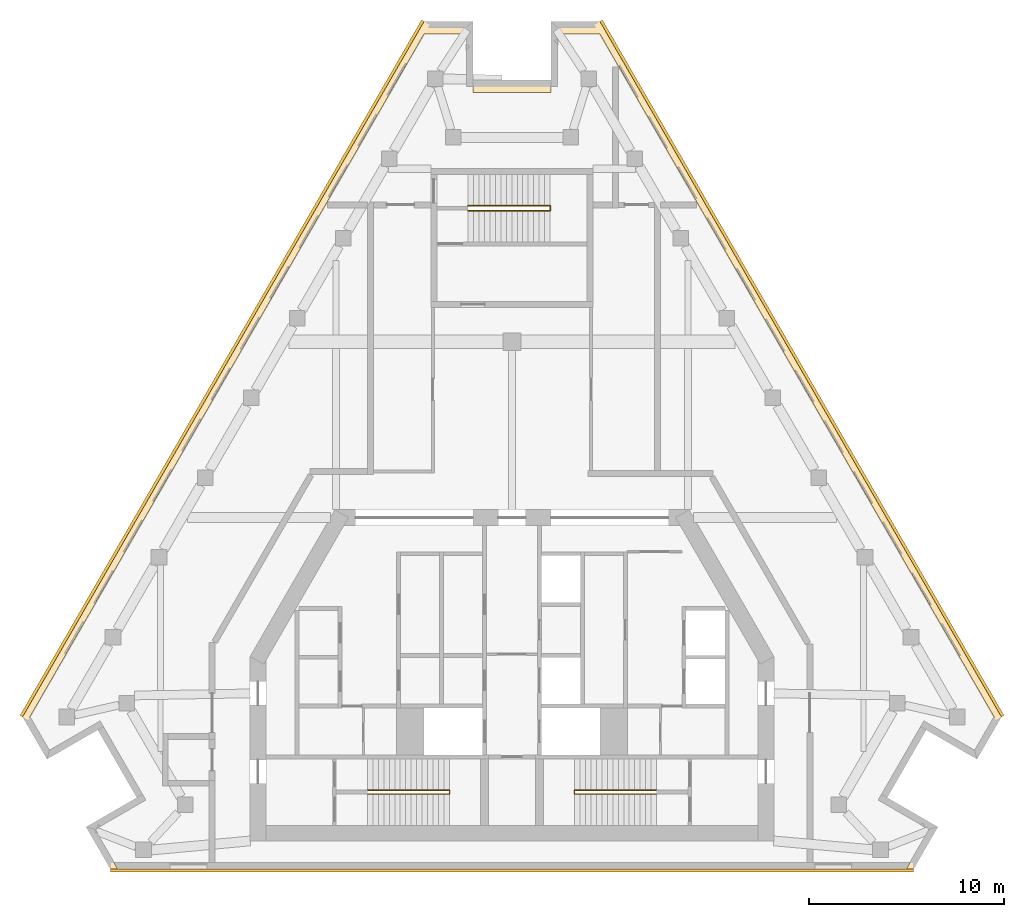
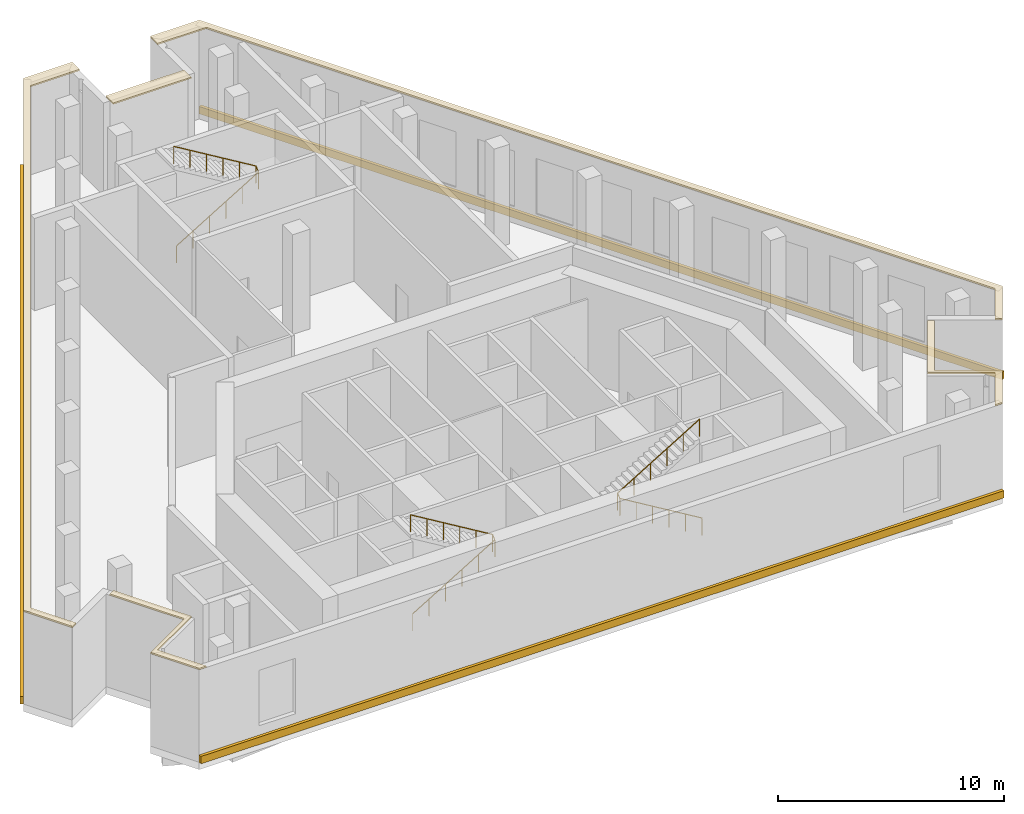
# One storey, part 8 of 8: 8 coverings, 3 railings.
"""IFC4 building model written with IfcOpenShell, lengths in metres."""

from ifc_helpers import new_model, si_unit, direction, frame, origin, origin_2d, place, context, subcontext, project, spatial, polyline, circle, outline, extrude, material, layer, layer_set, type_object, element, save


model = new_model("IFC4")

# Units and contexts
model_context = context("Model", 3, precision=1e-05, world=origin(), true_north=direction((0.0, 1.0)))
body_context = subcontext(model_context, "Body", "Model", "MODEL_VIEW")
ifc_project = project(units=[si_unit("LENGTHUNIT", "METRE"), si_unit("AREAUNIT", "SQUARE_METRE"), si_unit("VOLUMEUNIT", "CUBIC_METRE"), si_unit("PLANEANGLEUNIT", "RADIAN"), si_unit("MASSUNIT", "GRAM", prefix="KILO")], contexts=[model_context])

# Site, building, storey
site_placement = place(None, origin())
site = spatial("IfcSite", under=ifc_project, at=site_placement, CompositionType="ELEMENT")
building_placement = place(site_placement, origin())
building = spatial("IfcBuilding", under=site, at=building_placement, Name="Fogline Exchange Tower", CompositionType="ELEMENT")
storey_placement = place(building_placement, frame((0.0, 0.0, 304.5)))
storey = spatial("IfcBuildingStorey", under=building, at=storey_placement, Name="L69", CompositionType="ELEMENT", Elevation=304.5)

# Coverings
ifc_material_1 = material(Name="Granite", Category="masonry")
ifc_layer = layer(ifc_material_1, 0.080078125)
ifc_layer_set = layer_set([ifc_layer], Name="CP1")
covering_type_1 = type_object("IfcCoveringType", Name="CP1", PredefinedType="USERDEFINED", material=ifc_layer_set)
covering_1_placement = place(storey_placement, frame((0.0, 0.0, 5.0)))
element("IfcCovering", 1, at=covering_1_placement, inside=storey, type_object=covering_type_1, Name="Ledge coping L69", ObjectType="COPING", PredefinedType="USERDEFINED", context=body_context, shape_type="SweptSolid", body=[
    extrude(outline(polyline([(-23.80224609375, 5.629150390625), (-23.52294921875, 5.790283203125), (-24.6796875, 7.794189453125), (-4.5, 42.74658203125), (-2.0, 42.74658203125), (-2.0, 43.3916015625), (-4.5, 43.3916015625), (-25.05224609375, 7.794189453125), (-23.80224609375, 5.629150390625)])), origin(), (0.0, 0.0, 1.0), 0.080078125),
])
covering_2_placement = place(storey_placement, frame((0.0, 0.0, 5.0)))
element("IfcCovering", 2, at=covering_2_placement, inside=storey, type_object=covering_type_1, Name="Ledge coping L69", ObjectType="COPING", PredefinedType="USERDEFINED", context=body_context, shape_type="SweptSolid", body=[
    extrude(outline(polyline([(-20.55224609375, 0.0), (-20.1796875, 0.0), (-21.4296875, 2.1650390625), (-18.831787109375, 3.6650390625), (-20.831787109375, 7.129150390625), (-21.111083984375, 6.968017578125), (-19.2041015625, 3.6650390625), (-21.80224609375, 2.1650390625), (-20.55224609375, 0.0)])), origin(), (0.0, 0.0, 1.0), 0.080078125),
])
covering_3_placement = place(storey_placement, frame((0.0, 0.0, 5.0)))
element("IfcCovering", 3, at=covering_3_placement, inside=storey, type_object=covering_type_1, Name="Ledge coping L69", ObjectType="COPING", PredefinedType="USERDEFINED", context=body_context, shape_type="SweptSolid", body=[
    extrude(outline(polyline([(19.2041015625, 3.6650390625), (21.111083984375, 6.968017578125), (20.831787109375, 7.129150390625), (18.831787109375, 3.6650390625), (21.4296875, 2.1650390625), (20.1796875, 0.0), (20.55224609375, 0.0), (21.80224609375, 2.1650390625), (19.2041015625, 3.6650390625)])), origin(), (0.0, 0.0, 1.0), 0.080078125),
])
covering_4_placement = place(storey_placement, frame((0.0, 0.0, 5.0)))
element("IfcCovering", 4, at=covering_4_placement, inside=storey, type_object=covering_type_1, Name="Ledge coping L69", ObjectType="COPING", PredefinedType="USERDEFINED", context=body_context, shape_type="SweptSolid", body=[
    extrude(outline(polyline([(2.0, 43.3916015625), (2.0, 42.74658203125), (4.5, 42.74658203125), (24.6796875, 7.794189453125), (23.52294921875, 5.790283203125), (23.80224609375, 5.629150390625), (25.05224609375, 7.794189453125), (4.5, 43.3916015625), (2.0, 43.3916015625)])), origin(), (0.0, 0.0, 1.0), 0.080078125),
])
covering_5_placement = place(storey_placement, frame((0.0, 0.0, 5.0)))
element("IfcCovering", 5, at=covering_5_placement, inside=storey, type_object=covering_type_1, Name="Ledge coping L69", ObjectType="COPING", PredefinedType="USERDEFINED", context=body_context, shape_type="SweptSolid", body=[
    extrude(outline(polyline([(2.0, 40.3916015625), (-2.0, 40.3916015625), (-2.0, 39.74658203125), (2.0, 39.74658203125), (2.0, 40.3916015625)])), origin(), (0.0, 0.0, 1.0), 0.080078125),
])

# Railings
ifc_material_2 = material(Name="Steel Q235B", Category="steel")
railing_type = type_object("IfcRailingType", Name="RL-HR", PredefinedType="HANDRAIL", material=ifc_material_2)
railing_1_placement = place(storey_placement, frame((-7.39990234375, 3.85009765625, 0.168701171875)))
element("IfcRailing", 6, at=railing_1_placement, inside=storey, type_object=railing_type, Name="Handrail ST1", PredefinedType="HANDRAIL", context=body_context, shape_type="SweptSolid", body=[
    extrude(circle(Radius=0.02392578125, at=origin_2d()), frame((0.0, 0.0, 0.92578125), z_axis=(0.856476492594, 0.0, 0.516186030065), x_axis=(0.0, 1.0, 0.0)), (0.0, 0.0, 1.0), 4.90380859375),
    extrude(circle(Radius=0.02392578125, at=origin_2d()), frame((4.199951171875, 0.0, 3.45703125), z_axis=(0.0, 0.764305856904, 0.644853903688), x_axis=(-1.0, 0.0, 0.0)), (0.0, 0.0, 1.0), 0.26171875),
    extrude(circle(Radius=0.02392578125, at=origin_2d()), frame((4.199951171875, 0.199951171875, 3.6259765625), z_axis=(-0.856476492594, 0.0, 0.516186030065), x_axis=(0.0, -1.0, 0.0)), (0.0, 0.0, 1.0), 4.90380859375),
    extrude(circle(Radius=0.02099609375, at=origin_2d()), origin(), (0.0, 0.0, 1.0), 0.90185546875),
    extrude(circle(Radius=0.02099609375, at=origin_2d()), frame((0.840087890625, 0.0, 0.50634765625)), (0.0, 0.0, 1.0), 0.90185546875),
    extrude(circle(Radius=0.02099609375, at=origin_2d()), frame((1.679931640625, 0.0, 1.012451171875)), (0.0, 0.0, 1.0), 0.90185546875),
    extrude(circle(Radius=0.02099609375, at=origin_2d()), frame((2.52001953125, 0.0, 1.518798828125)), (0.0, 0.0, 1.0), 0.90185546875),
    extrude(circle(Radius=0.02099609375, at=origin_2d()), frame((3.35986328125, 0.0, 2.02490234375)), (0.0, 0.0, 1.0), 0.90185546875),
    extrude(circle(Radius=0.02099609375, at=origin_2d()), frame((4.199951171875, 0.0, 2.53125)), (0.0, 0.0, 1.0), 0.90185546875),
    extrude(circle(Radius=0.02099609375, at=origin_2d()), frame((4.199951171875, 0.199951171875, 2.699951171875)), (0.0, 0.0, 1.0), 0.90185546875),
    extrude(circle(Radius=0.02099609375, at=origin_2d()), frame((3.35986328125, 0.199951171875, 3.206298828125)), (0.0, 0.0, 1.0), 0.90185546875),
    extrude(circle(Radius=0.02099609375, at=origin_2d()), frame((2.52001953125, 0.199951171875, 3.71240234375)), (0.0, 0.0, 1.0), 0.90185546875),
    extrude(circle(Radius=0.02099609375, at=origin_2d()), frame((1.679931640625, 0.199951171875, 4.21875)), (0.0, 0.0, 1.0), 0.90185546875),
    extrude(circle(Radius=0.02099609375, at=origin_2d()), frame((0.840087890625, 0.199951171875, 4.724853515625)), (0.0, 0.0, 1.0), 0.90185546875),
    extrude(circle(Radius=0.02099609375, at=origin_2d()), frame((0.0, 0.199951171875, 5.231201171875)), (0.0, 0.0, 1.0), 0.90185546875),
])
railing_2_placement = place(storey_placement, frame((7.39990234375, 3.85009765625, 0.168701171875)))
element("IfcRailing", 7, at=railing_2_placement, inside=storey, type_object=railing_type, Name="Handrail ST2", PredefinedType="HANDRAIL", context=body_context, shape_type="SweptSolid", body=[
    extrude(circle(Radius=0.02392578125, at=origin_2d()), frame((0.0, 0.0, 0.92578125), z_axis=(-0.856476492594, 0.0, 0.516186030065), x_axis=(0.0, -1.0, 0.0)), (0.0, 0.0, 1.0), 4.90380859375),
    extrude(circle(Radius=0.02392578125, at=origin_2d()), frame((-4.199951171875, 0.0, 3.45703125), z_axis=(0.0, 0.764305856904, 0.644853903688), x_axis=(-1.0, 0.0, 0.0)), (0.0, 0.0, 1.0), 0.26171875),
    extrude(circle(Radius=0.02392578125, at=origin_2d()), frame((-4.199951171875, 0.199951171875, 3.6259765625), z_axis=(0.856476492594, 0.0, 0.516186030065), x_axis=(0.0, 1.0, 0.0)), (0.0, 0.0, 1.0), 4.90380859375),
    extrude(circle(Radius=0.02099609375, at=origin_2d()), origin(), (0.0, 0.0, 1.0), 0.90185546875),
    extrude(circle(Radius=0.02099609375, at=origin_2d()), frame((-0.840087890625, 0.0, 0.50634765625)), (0.0, 0.0, 1.0), 0.90185546875),
    extrude(circle(Radius=0.02099609375, at=origin_2d()), frame((-1.679931640625, 0.0, 1.012451171875)), (0.0, 0.0, 1.0), 0.90185546875),
    extrude(circle(Radius=0.02099609375, at=origin_2d()), frame((-2.52001953125, 0.0, 1.518798828125)), (0.0, 0.0, 1.0), 0.90185546875),
    extrude(circle(Radius=0.02099609375, at=origin_2d()), frame((-3.35986328125, 0.0, 2.02490234375)), (0.0, 0.0, 1.0), 0.90185546875),
    extrude(circle(Radius=0.02099609375, at=origin_2d()), frame((-4.199951171875, 0.0, 2.53125)), (0.0, 0.0, 1.0), 0.90185546875),
    extrude(circle(Radius=0.02099609375, at=origin_2d()), frame((-4.199951171875, 0.199951171875, 2.699951171875)), (0.0, 0.0, 1.0), 0.90185546875),
    extrude(circle(Radius=0.02099609375, at=origin_2d()), frame((-3.35986328125, 0.199951171875, 3.206298828125)), (0.0, 0.0, 1.0), 0.90185546875),
    extrude(circle(Radius=0.02099609375, at=origin_2d()), frame((-2.52001953125, 0.199951171875, 3.71240234375)), (0.0, 0.0, 1.0), 0.90185546875),
    extrude(circle(Radius=0.02099609375, at=origin_2d()), frame((-1.679931640625, 0.199951171875, 4.21875)), (0.0, 0.0, 1.0), 0.90185546875),
    extrude(circle(Radius=0.02099609375, at=origin_2d()), frame((-0.840087890625, 0.199951171875, 4.724853515625)), (0.0, 0.0, 1.0), 0.90185546875),
    extrude(circle(Radius=0.02099609375, at=origin_2d()), frame((0.0, 0.199951171875, 5.231201171875)), (0.0, 0.0, 1.0), 0.90185546875),
])
railing_3_placement = place(storey_placement, frame((-2.25, 33.70703125, 0.168701171875)))
element("IfcRailing", 8, at=railing_3_placement, inside=storey, type_object=railing_type, Name="Handrail ST3", PredefinedType="HANDRAIL", context=body_context, shape_type="SweptSolid", body=[
    extrude(circle(Radius=0.02392578125, at=origin_2d()), frame((0.0, 0.0, 0.92578125), z_axis=(0.856476492594, 0.0, 0.516186030065), x_axis=(0.0, 1.0, 0.0)), (0.0, 0.0, 1.0), 4.90380859375),
    extrude(circle(Radius=0.02392578125, at=origin_2d()), frame((4.199951171875, 0.0, 3.45703125), z_axis=(0.0, 0.828923742226, 0.559361626834), x_axis=(-1.0, 0.0, 0.0)), (0.0, 0.0, 1.0), 0.301513671875),
    extrude(circle(Radius=0.02392578125, at=origin_2d()), frame((4.199951171875, 0.25, 3.6259765625), z_axis=(-0.856476492594, 0.0, 0.516186030065), x_axis=(0.0, -1.0, 0.0)), (0.0, 0.0, 1.0), 4.90380859375),
    extrude(circle(Radius=0.02099609375, at=origin_2d()), origin(), (0.0, 0.0, 1.0), 0.90185546875),
    extrude(circle(Radius=0.02099609375, at=origin_2d()), frame((0.840087890625, 0.0, 0.50634765625)), (0.0, 0.0, 1.0), 0.90185546875),
    extrude(circle(Radius=0.02099609375, at=origin_2d()), frame((1.679931640625, 0.0, 1.012451171875)), (0.0, 0.0, 1.0), 0.90185546875),
    extrude(circle(Radius=0.02099609375, at=origin_2d()), frame((2.52001953125, 0.0, 1.518798828125)), (0.0, 0.0, 1.0), 0.90185546875),
    extrude(circle(Radius=0.02099609375, at=origin_2d()), frame((3.35986328125, 0.0, 2.02490234375)), (0.0, 0.0, 1.0), 0.90185546875),
    extrude(circle(Radius=0.02099609375, at=origin_2d()), frame((4.199951171875, 0.0, 2.53125)), (0.0, 0.0, 1.0), 0.90185546875),
    extrude(circle(Radius=0.02099609375, at=origin_2d()), frame((4.199951171875, 0.25, 2.699951171875)), (0.0, 0.0, 1.0), 0.90185546875),
    extrude(circle(Radius=0.02099609375, at=origin_2d()), frame((3.35986328125, 0.25, 3.206298828125)), (0.0, 0.0, 1.0), 0.90185546875),
    extrude(circle(Radius=0.02099609375, at=origin_2d()), frame((2.52001953125, 0.25, 3.71240234375)), (0.0, 0.0, 1.0), 0.90185546875),
    extrude(circle(Radius=0.02099609375, at=origin_2d()), frame((1.679931640625, 0.25, 4.21875)), (0.0, 0.0, 1.0), 0.90185546875),
    extrude(circle(Radius=0.02099609375, at=origin_2d()), frame((0.840087890625, 0.25, 4.724853515625)), (0.0, 0.0, 1.0), 0.90185546875),
    extrude(circle(Radius=0.02099609375, at=origin_2d()), frame((0.0, 0.25, 5.231201171875)), (0.0, 0.0, 1.0), 0.90185546875),
])

# Coverings
ifc_material_3 = material(Name="Brick masonry", Category="masonry")
covering_type_2 = type_object("IfcCoveringType", Name="SB2", PredefinedType="CLADDING", material=ifc_material_3)
covering_6_placement = place(storey_placement, origin())
element("IfcCovering", 9, at=covering_6_placement, inside=storey, type_object=covering_type_2, Name="Stringcourse band L69 S", PredefinedType="CLADDING", context=body_context, shape_type="SweptSolid", body=[
    extrude(outline(polyline([(-20.55224609375, 0.0), (-20.55224609375, -0.14990234375), (20.55224609375, -0.14990234375), (20.55224609375, 0.0), (-20.55224609375, 0.0)])), origin(), (0.0, 0.0, 1.0), 0.39990234375),
])
covering_7_placement = place(storey_placement, origin())
element("IfcCovering", 10, at=covering_7_placement, inside=storey, type_object=covering_type_2, Name="Stringcourse band L69 E", PredefinedType="CLADDING", context=body_context, shape_type="SweptSolid", body=[
    extrude(outline(polyline([(25.05224609375, 7.794189453125), (25.18212890625, 7.869140625), (4.6298828125, 43.466796875), (4.5, 43.3916015625), (25.05224609375, 7.794189453125)])), origin(), (0.0, 0.0, 1.0), 0.39990234375),
])
covering_8_placement = place(storey_placement, origin())
element("IfcCovering", 11, at=covering_8_placement, inside=storey, type_object=covering_type_2, Name="Stringcourse band L69 W", PredefinedType="CLADDING", context=body_context, shape_type="SweptSolid", body=[
    extrude(outline(polyline([(-4.5, 43.3916015625), (-4.6298828125, 43.466796875), (-25.18212890625, 7.869140625), (-25.05224609375, 7.794189453125), (-4.5, 43.3916015625)])), origin(), (0.0, 0.0, 1.0), 0.39990234375),
])

save(model, "model.ifc")
